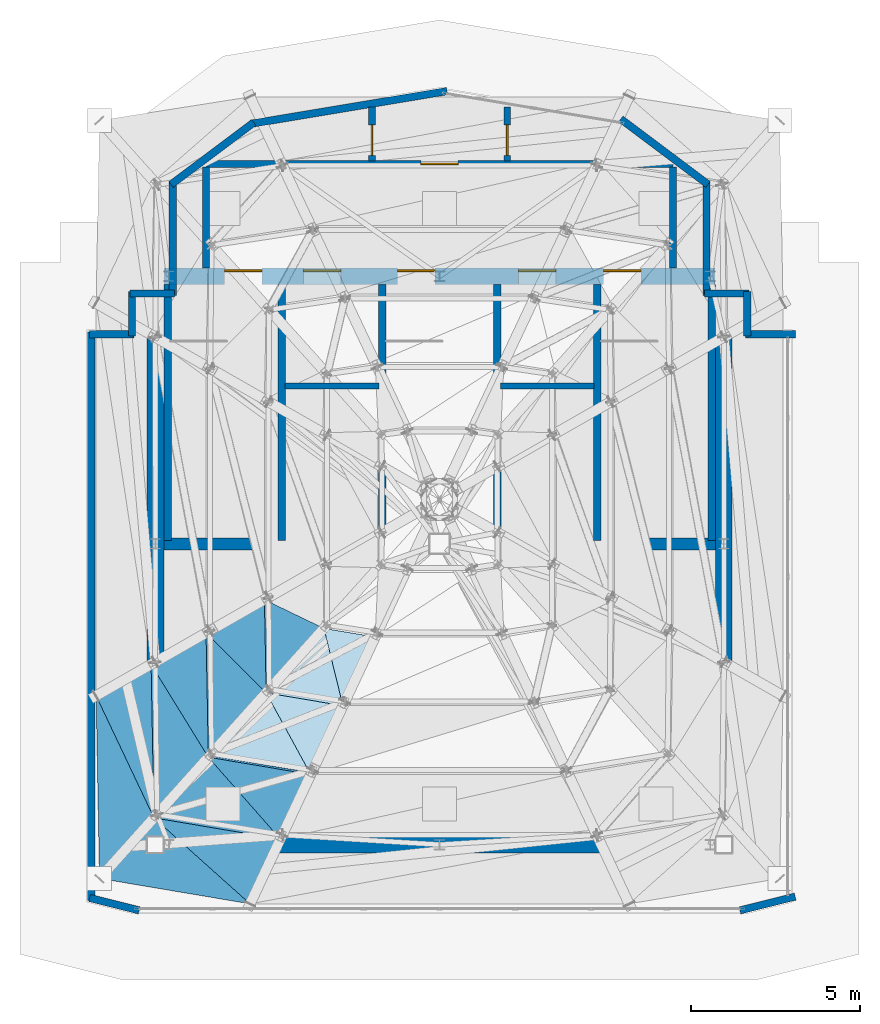
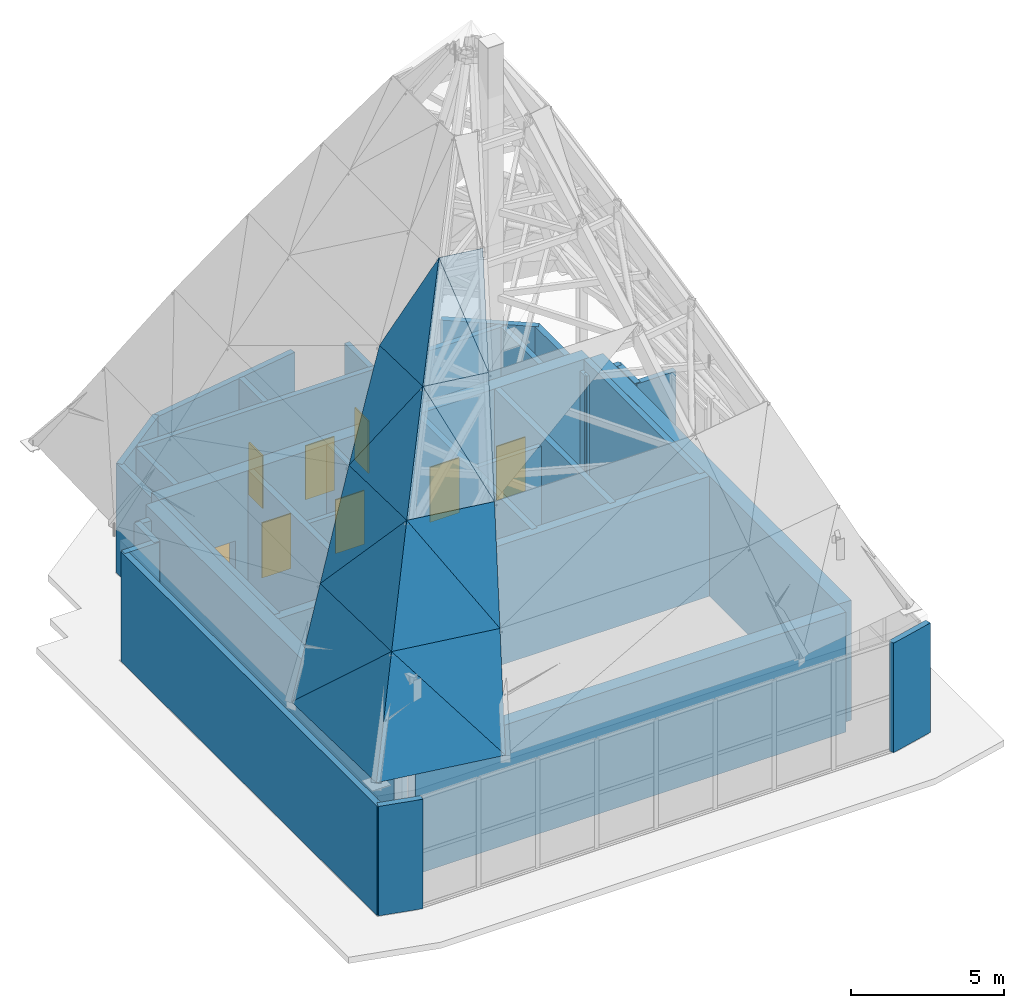
# One storey, part 26 of 30: 32 walls, 15 roofs, 8 doors, 8 openings.
"""IFC4 building model written with IfcOpenShell, lengths in metres."""

from ifc_helpers import new_model, si_unit, direction, frame, frame_2d, origin, place, context, subcontext, project, spatial, polyline, rectangle, outline, extrude, material, layer, layer_set, type_object, element, fill, save


model = new_model("IFC4")

# Units and contexts
model_context = context("Model", 3, precision=1e-05, world=origin(), true_north=direction((0.0, 1.0)))
body_context = subcontext(model_context, "Body", "Model", "MODEL_VIEW")
ifc_project = project(units=[si_unit("LENGTHUNIT", "METRE"), si_unit("AREAUNIT", "SQUARE_METRE"), si_unit("VOLUMEUNIT", "CUBIC_METRE"), si_unit("PLANEANGLEUNIT", "RADIAN"), si_unit("MASSUNIT", "GRAM", prefix="KILO")], contexts=[model_context])

# Site, building, storey
site_placement = place(None, origin())
site = spatial("IfcSite", under=ifc_project, at=site_placement, CompositionType="ELEMENT")
building_placement = place(site_placement, origin())
building = spatial("IfcBuilding", under=site, at=building_placement, Name="Haolan Belvedere Tower", CompositionType="ELEMENT")
storey_placement = place(building_placement, frame((0.0, 0.0, 333.0)))
storey = spatial("IfcBuildingStorey", under=building, at=storey_placement, Name="L83", CompositionType="ELEMENT", Elevation=333.0)

# Wall
ifc_material_1 = material(Name="Concrete C50/60", Category="concrete")
ifc_layer_1 = layer(ifc_material_1, 0.5, Name="Concrete C50/60")
ifc_layer_set_1 = layer_set([ifc_layer_1], Name="Concrete C50/60")
wall_type_1 = type_object("IfcWallType", Name="WL-CORE-500", PredefinedType="SHEAR", material=ifc_layer_set_1)
wall_1_placement = place(storey_placement, frame((30.260009765625, 26.39990234375, 0.0), z_axis=(0.0, 0.0, 1.0), x_axis=(1.0, 0.0, 0.0)))
element("IfcWall", 1, at=wall_1_placement, inside=storey, type_object=wall_type_1, Name="L83 central core south shear wall", PredefinedType="SHEAR", context=body_context, shape_type="SweptSolid", body=[
    extrude(rectangle(XDim=16.280029296875, YDim=0.5, at=frame_2d((8.14013671875, 0.0))), origin(), (0.0, 0.0, 1.0), 4.800048828125),
])

# Wall, openings, doors
wall_2_placement = place(storey_placement, frame((30.260009765625, 43.199951171875, 0.0), z_axis=(0.0, 0.0, 1.0), x_axis=(1.0, 0.0, 0.0)))
wall_2 = element("IfcWall", 2, at=wall_2_placement, inside=storey, type_object=wall_type_1, Name="L83 central core north shear wall", PredefinedType="SHEAR", context=body_context, shape_type="SweptSolid", body=[
    extrude(rectangle(XDim=16.280029296875, YDim=0.5, at=frame_2d((8.14013671875, 0.0))), origin(), (0.0, 0.0, 1.0), 4.800048828125),
])
opening_1_placement = place(wall_2_placement, frame((1.7900390625, 0.0, 0.0)))
opening_1 = element("IfcOpeningElement", 3, at=opening_1_placement, cuts=wall_2, Name="Opening FD-03", PredefinedType="OPENING", context=body_context, shape_type="SweptSolid", body=[
    extrude(rectangle(XDim=1.10009765625, YDim=2.14990234375, at=frame_2d((0.550048828125, 1.074951171875))), frame((0.0, 0.260009765625, 0.0), z_axis=(0.0, -1.0, 0.0), x_axis=(1.0, 0.0, 0.0)), (0.0, 0.0, 1.0), 0.52001953125),
])
opening_2_placement = place(wall_2_placement, frame((6.89990234375, 0.0, 0.0)))
opening_2 = element("IfcOpeningElement", 4, at=opening_2_placement, cuts=wall_2, Name="Opening FD-03", PredefinedType="OPENING", context=body_context, shape_type="SweptSolid", body=[
    extrude(rectangle(XDim=1.10009765625, YDim=2.14990234375, at=frame_2d((0.550048828125, 1.074951171875))), frame((0.0, 0.260009765625, 0.0), z_axis=(0.0, -1.0, 0.0), x_axis=(1.0, 0.0, 0.0)), (0.0, 0.0, 1.0), 0.52001953125),
])
opening_3_placement = place(wall_2_placement, frame((12.989990234375, 0.0, 0.0)))
opening_3 = element("IfcOpeningElement", 5, at=opening_3_placement, cuts=wall_2, Name="Opening FD-03", PredefinedType="OPENING", context=body_context, shape_type="SweptSolid", body=[
    extrude(rectangle(XDim=1.10009765625, YDim=2.14990234375, at=frame_2d((0.550048828125, 1.074951171875))), frame((0.0, 0.260009765625, 0.0), z_axis=(0.0, -1.0, 0.0), x_axis=(1.0, 0.0, 0.0)), (0.0, 0.0, 1.0), 0.52001953125),
])
opening_4_placement = place(wall_2_placement, frame((4.1201171875, 0.0, 0.0)))
opening_4 = element("IfcOpeningElement", 6, at=opening_4_placement, cuts=wall_2, Name="Opening LD-01", PredefinedType="OPENING", context=body_context, shape_type="SweptSolid", body=[
    extrude(rectangle(XDim=1.10009765625, YDim=2.199951171875, at=frame_2d((0.550048828125, 1.10009765625))), frame((0.0, 0.260009765625, 0.0), z_axis=(0.0, -1.0, 0.0), x_axis=(1.0, 0.0, 0.0)), (0.0, 0.0, 1.0), 0.52001953125),
])
opening_5_placement = place(wall_2_placement, frame((10.47998046875, 0.0, 0.0)))
opening_5 = element("IfcOpeningElement", 7, at=opening_5_placement, cuts=wall_2, Name="Opening LD-01", PredefinedType="OPENING", context=body_context, shape_type="SweptSolid", body=[
    extrude(rectangle(XDim=1.10009765625, YDim=2.199951171875, at=frame_2d((0.550048828125, 1.10009765625))), frame((0.0, 0.260009765625, 0.0), z_axis=(0.0, -1.0, 0.0), x_axis=(1.0, 0.0, 0.0)), (0.0, 0.0, 1.0), 0.52001953125),
])
ifc_material_2 = material(Name="Galvanised fire-rated steel", Category="steel")
door_type_1 = type_object("IfcDoorType", Name="DR-FD90-1100", OperationType="NOTDEFINED", PredefinedType="DOOR", material=ifc_material_2)
door_1_placement = place(opening_1_placement, origin())
door_1 = element("IfcDoor", 8, at=door_1_placement, inside=storey, type_object=door_type_1, Name="L83 door CD-L83-ST1", OperationType="SINGLE_SWING_LEFT", OverallHeight=2.14990234375, OverallWidth=1.10009765625, PredefinedType="DOOR", context=body_context, shape_type="SweptSolid", body=[
    extrude(rectangle(XDim=1.10009765625, YDim=2.14990234375, at=frame_2d((0.550048828125, 1.074951171875))), frame((0.0, 0.18505859375, 0.0), z_axis=(0.0, -1.0, 0.0), x_axis=(1.0, 0.0, 0.0)), (0.0, 0.0, 1.0), 0.050048828125),
])
fill(opening_1, door_1)
door_2_placement = place(opening_2_placement, origin())
door_2 = element("IfcDoor", 9, at=door_2_placement, inside=storey, type_object=door_type_1, Name="L83 door CD-L83-ST3", OperationType="SINGLE_SWING_LEFT", OverallHeight=2.14990234375, OverallWidth=1.10009765625, PredefinedType="DOOR", context=body_context, shape_type="SweptSolid", body=[
    extrude(rectangle(XDim=1.10009765625, YDim=2.14990234375, at=frame_2d((0.550048828125, 1.074951171875))), frame((0.0, 0.18505859375, 0.0), z_axis=(0.0, -1.0, 0.0), x_axis=(1.0, 0.0, 0.0)), (0.0, 0.0, 1.0), 0.050048828125),
])
fill(opening_2, door_2)
door_3_placement = place(opening_3_placement, origin())
door_3 = element("IfcDoor", 10, at=door_3_placement, inside=storey, type_object=door_type_1, Name="L83 door CD-L83-ST2", OperationType="SINGLE_SWING_RIGHT", OverallHeight=2.14990234375, OverallWidth=1.10009765625, PredefinedType="DOOR", context=body_context, shape_type="SweptSolid", body=[
    extrude(rectangle(XDim=1.10009765625, YDim=2.14990234375, at=frame_2d((0.550048828125, 1.074951171875))), frame((0.0, 0.18505859375, 0.0), z_axis=(0.0, -1.0, 0.0), x_axis=(1.0, 0.0, 0.0)), (0.0, 0.0, 1.0), 0.050048828125),
])
fill(opening_3, door_3)
ifc_material_3 = material(Name="Brushed champagne stainless steel 316L", Category="steel")
door_type_2 = type_object("IfcDoorType", Name="DR-LIFT-1100", OperationType="SLIDING_TO_LEFT", PredefinedType="DOOR", material=ifc_material_3)
door_4_placement = place(opening_4_placement, origin())
door_4 = element("IfcDoor", 11, at=door_4_placement, inside=storey, type_object=door_type_2, Name="L83 door LD-L83-FF1", OperationType="SLIDING_TO_LEFT", OverallHeight=2.199951171875, OverallWidth=1.10009765625, PredefinedType="DOOR", context=body_context, shape_type="SweptSolid", body=[
    extrude(rectangle(XDim=1.10009765625, YDim=2.199951171875, at=frame_2d((0.550048828125, 1.10009765625))), frame((0.0, 0.18505859375, 0.0), z_axis=(0.0, -1.0, 0.0), x_axis=(1.0, 0.0, 0.0)), (0.0, 0.0, 1.0), 0.050048828125),
])
fill(opening_4, door_4)
door_5_placement = place(opening_5_placement, origin())
door_5 = element("IfcDoor", 12, at=door_5_placement, inside=storey, type_object=door_type_2, Name="L83 door LD-L83-FF2", OperationType="SLIDING_TO_LEFT", OverallHeight=2.199951171875, OverallWidth=1.10009765625, PredefinedType="DOOR", context=body_context, shape_type="SweptSolid", body=[
    extrude(rectangle(XDim=1.10009765625, YDim=2.199951171875, at=frame_2d((0.550048828125, 1.10009765625))), frame((0.0, 0.18505859375, 0.0), z_axis=(0.0, -1.0, 0.0), x_axis=(1.0, 0.0, 0.0)), (0.0, 0.0, 1.0), 0.050048828125),
])
fill(opening_5, door_5)

# Walls
for number, where, z_axis, x_axis, name in (
    (13, (30.0, 26.659912109375, 0.0), (0.0, 0.0, 1.0), (0.0, 1.0, 0.0), "L83 central core west shear wall"),
    (14, (46.800048828125, 26.659912109375, 0.0), (0.0, 0.0, 1.0), (0.0, 1.0, 0.0), "L83 central core east shear wall"),
):
    element("IfcWall", number, at=place(storey_placement, frame(where, z_axis=z_axis, x_axis=x_axis)), inside=storey, type_object=wall_type_1, Name=name, PredefinedType="SHEAR", context=body_context, shape_type="SweptSolid", body=[
        extrude(rectangle(XDim=16.280029296875, YDim=0.5, at=frame_2d((8.14013671875, 0.0))), origin(), (0.0, 0.0, 1.0), 4.800048828125),
    ])
ifc_material_4 = material(Name="Precast concrete C40/50", Category="concrete")
ifc_layer_2 = layer(ifc_material_4, 0.219970703125, Name="Precast concrete C40/50")
ifc_layer_set_2 = layer_set([ifc_layer_2], Name="Precast concrete C40/50")
wall_type_2 = type_object("IfcWallType", Name="WL-EXT-220", PredefinedType="SOLIDWALL", material=ifc_layer_set_2)
wall_3_placement = place(storey_placement, frame((28.056640625, 24.822265625, 0.0), z_axis=(0.0, 0.0, 1.0), x_axis=(0.970133005699, -0.242573599662, 0.0)))
element("IfcWall", 15, at=wall_3_placement, inside=storey, type_object=wall_type_2, Name="L83 pale-metal exterior spandrel wall 1.1", PredefinedType="SOLIDWALL", context=body_context, shape_type="SweptSolid", body=[
    extrude(rectangle(XDim=1.5126953125, YDim=0.219970703125, at=frame_2d((0.75634765625, 0.0))), origin(), (0.0, 0.0, 1.0), 4.3798828125),
])
wall_4_placement = place(storey_placement, frame((47.27587890625, 24.455322265625, 0.0), z_axis=(0.0, 0.0, 1.0), x_axis=(0.970125427386, 0.242603905861, 0.0)))
element("IfcWall", 16, at=wall_4_placement, inside=storey, type_object=wall_type_2, Name="L83 pale-metal exterior spandrel wall 3.1", PredefinedType="SOLIDWALL", context=body_context, shape_type="SweptSolid", body=[
    extrude(rectangle(XDim=1.6826171875, YDim=0.219970703125, at=frame_2d((0.84130859375, 0.0))), origin(), (0.0, 0.0, 1.0), 4.3798828125),
])
wall_5_placement = place(storey_placement, frame((48.9150390625, 41.489990234375, 0.0), z_axis=(0.0, 0.0, 1.0), x_axis=(-1.0, 0.0, 0.0)))
element("IfcWall", 17, at=wall_5_placement, inside=storey, type_object=wall_type_2, Name="L83 pale-metal exterior spandrel wall 5.1", PredefinedType="SOLIDWALL", context=body_context, shape_type="SweptSolid", body=[
    extrude(rectangle(XDim=1.47998046875, YDim=0.219970703125, at=frame_2d((0.739990234375, 0.0))), origin(), (0.0, 0.0, 1.0), 4.3798828125),
])
wall_6_placement = place(storey_placement, frame((47.489990234375, 41.43505859375, 0.0), z_axis=(0.0, 0.0, 1.0), x_axis=(0.0, 1.0, 0.0)))
element("IfcWall", 18, at=wall_6_placement, inside=storey, type_object=wall_type_2, Name="L83 pale-metal exterior spandrel wall 6.1", PredefinedType="SOLIDWALL", context=body_context, shape_type="SweptSolid", body=[
    extrude(rectangle(XDim=1.31005859375, YDim=0.219970703125, at=frame_2d((0.655029296875, 0.0))), origin(), (0.0, 0.0, 1.0), 4.3798828125),
])
wall_7_placement = place(storey_placement, frame((47.544921875, 42.68994140625, 0.0), z_axis=(0.0, 0.0, 1.0), x_axis=(-1.0, 0.0, 0.0)))
element("IfcWall", 19, at=wall_7_placement, inside=storey, type_object=wall_type_2, Name="L83 pale-metal exterior spandrel wall 7.1", PredefinedType="SOLIDWALL", context=body_context, shape_type="SweptSolid", body=[
    extrude(rectangle(XDim=1.309814453125, YDim=0.219970703125, at=frame_2d((0.65478515625, 0.0))), origin(), (0.0, 0.0, 1.0), 4.3798828125),
])
wall_8_placement = place(storey_placement, frame((46.2900390625, 42.635009765625, 0.0), z_axis=(0.0, 0.0, 1.0), x_axis=(0.0, 1.0, 0.0)))
element("IfcWall", 20, at=wall_8_placement, inside=storey, type_object=wall_type_2, Name="L83 pale-metal exterior spandrel wall 8.1", PredefinedType="SOLIDWALL", context=body_context, shape_type="SweptSolid", body=[
    extrude(rectangle(XDim=3.364990234375, YDim=0.219970703125, at=frame_2d((1.6826171875, 0.0))), origin(), (0.0, 0.0, 1.0), 4.3798828125),
])
wall_9_placement = place(storey_placement, frame((46.333984375, 45.912109375, 0.0), z_axis=(0.0, 0.0, 1.0), x_axis=(-0.8, 0.6, 0.0)))
element("IfcWall", 21, at=wall_9_placement, inside=storey, type_object=wall_type_2, Name="L83 pale-metal exterior spandrel wall 9.1", PredefinedType="SOLIDWALL", context=body_context, shape_type="SweptSolid", body=[
    extrude(rectangle(XDim=3.22265625, YDim=0.219970703125, at=frame_2d((1.611328125, 0.0))), origin(), (0.0, 0.0, 1.0), 4.3798828125),
])
wall_10_placement = place(storey_placement, frame((38.621826171875, 48.67041015625, 0.0), z_axis=(0.0, 0.0, 1.0), x_axis=(-0.986391684033, -0.164412425533, 0.0)))
element("IfcWall", 22, at=wall_10_placement, inside=storey, type_object=wall_type_2, Name="L83 pale-metal exterior spandrel wall 11.1", PredefinedType="SOLIDWALL", context=body_context, shape_type="SweptSolid", body=[
    extrude(rectangle(XDim=5.89208984375, YDim=0.219970703125, at=frame_2d((2.946044921875, 0.0))), origin(), (0.0, 0.0, 1.0), 4.3798828125),
])
wall_11_placement = place(storey_placement, frame((32.908203125, 47.74365234375, 0.0), z_axis=(0.0, 0.0, 1.0), x_axis=(-0.800009597134, -0.599987203609, 0.0)))
element("IfcWall", 23, at=wall_11_placement, inside=storey, type_object=wall_type_2, Name="L83 pale-metal exterior spandrel wall 12.1", PredefinedType="SOLIDWALL", context=body_context, shape_type="SweptSolid", body=[
    extrude(rectangle(XDim=3.052734375, YDim=0.219970703125, at=frame_2d((1.5263671875, 0.0))), origin(), (0.0, 0.0, 1.0), 4.3798828125),
])
wall_12_placement = place(storey_placement, frame((30.510009765625, 46.0, 0.0), z_axis=(0.0, 0.0, 1.0), x_axis=(0.0, -1.0, 0.0)))
element("IfcWall", 24, at=wall_12_placement, inside=storey, type_object=wall_type_2, Name="L83 pale-metal exterior spandrel wall 13.1", PredefinedType="SOLIDWALL", context=body_context, shape_type="SweptSolid", body=[
    extrude(rectangle(XDim=3.364990234375, YDim=0.219970703125, at=frame_2d((1.6826171875, 0.0))), origin(), (0.0, 0.0, 1.0), 4.3798828125),
])
for number, where, z_axis, x_axis, name in (
    (25, (30.56494140625, 42.68994140625, 0.0), (0.0, 0.0, 1.0), (-1.0, 0.0, 0.0), "L83 pale-metal exterior spandrel wall 14.1"),
    (26, (29.31005859375, 42.7451171875, 0.0), (0.0, 0.0, 1.0), (0.0, -1.0, 0.0), "L83 pale-metal exterior spandrel wall 15.1"),
    (27, (29.364990234375, 41.489990234375, 0.0), (0.0, 0.0, 1.0), (-1.0, 0.0, 0.0), "L83 pale-metal exterior spandrel wall 16.1"),
):
    element("IfcWall", number, at=place(storey_placement, frame(where, z_axis=z_axis, x_axis=x_axis)), inside=storey, type_object=wall_type_2, Name=name, PredefinedType="SOLIDWALL", context=body_context, shape_type="SweptSolid", body=[
        extrude(rectangle(XDim=1.31005859375, YDim=0.219970703125, at=frame_2d((0.655029296875, 0.0))), origin(), (0.0, 0.0, 1.0), 4.3798828125),
    ])
wall_13_placement = place(storey_placement, frame((28.110107421875, 41.544921875, 0.0), z_axis=(0.0, 0.0, 1.0), x_axis=(0.0, -1.0, 0.0)))
element("IfcWall", 28, at=wall_13_placement, inside=storey, type_object=wall_type_2, Name="L83 pale-metal exterior spandrel wall 17.1", PredefinedType="SOLIDWALL", context=body_context, shape_type="SweptSolid", body=[
    extrude(rectangle(XDim=16.791015625, YDim=0.219970703125, at=frame_2d((8.3955078125, 0.0))), origin(), (0.0, 0.0, 1.0), 4.3798828125),
])

# Wall, opening, door
ifc_material_5 = material(Name="Concrete C40/50", Category="concrete")
ifc_layer_3 = layer(ifc_material_5, 0.199951171875, Name="Concrete C40/50")
ifc_layer_set_3 = layer_set([ifc_layer_3], Name="Concrete C40/50")
wall_type_3 = type_object("IfcWallType", Name="WL-FIRE-200", PredefinedType="SOLIDWALL", material=ifc_layer_set_3)
wall_14_placement = place(storey_placement, frame((31.5, 46.52001953125, 0.0), z_axis=(0.0, 0.0, 1.0), x_axis=(1.0, 0.0, 0.0)))
wall_14 = element("IfcWall", 29, at=wall_14_placement, inside=storey, type_object=wall_type_3, Name="L83 interior partition IW-L83-FFL-N", PredefinedType="SOLIDWALL", context=body_context, shape_type="SweptSolid", body=[
    extrude(rectangle(XDim=13.800048828125, YDim=0.199951171875, at=frame_2d((6.89990234375, 0.0))), origin(), (0.0, 0.0, 1.0), 4.3798828125),
])
opening_6_placement = place(wall_14_placement, frame((6.35009765625, 0.0, 0.0)))
opening_6 = element("IfcOpeningElement", 30, at=opening_6_placement, cuts=wall_14, Name="Opening FD-03", PredefinedType="OPENING", context=body_context, shape_type="SweptSolid", body=[
    extrude(rectangle(XDim=1.10009765625, YDim=2.14990234375, at=frame_2d((0.550048828125, 1.074951171875))), frame((0.0, 0.10986328125, 0.0), z_axis=(0.0, -1.0, 0.0), x_axis=(1.0, 0.0, 0.0)), (0.0, 0.0, 1.0), 0.219970703125),
])
door_6_placement = place(opening_6_placement, origin())
door_6 = element("IfcDoor", 31, at=door_6_placement, inside=storey, type_object=door_type_1, Name="L83 door ID-L83-FFL-DN", OperationType="SINGLE_SWING_LEFT", OverallHeight=2.14990234375, OverallWidth=1.10009765625, PredefinedType="DOOR", context=body_context, shape_type="SweptSolid", body=[
    extrude(rectangle(XDim=1.10009765625, YDim=2.14990234375, at=frame_2d((0.550048828125, 1.074951171875))), frame((0.0, 0.02490234375, 0.0), z_axis=(0.0, -1.0, 0.0), x_axis=(1.0, 0.0, 0.0)), (0.0, 0.0, 1.0), 0.050048828125),
])
fill(opening_6, door_6)

# Walls
for number, where, z_axis, x_axis, name in (
    (32, (31.5, 43.449951171875, 0.0), (0.0, 0.0, 1.0), (0.0, 1.0, 0.0), "L83 interior partition IW-L83-FFL-W"),
    (33, (45.300048828125, 43.449951171875, 0.0), (0.0, 0.0, 1.0), (0.0, 1.0, 0.0), "L83 interior partition IW-L83-FFL-E"),
):
    element("IfcWall", number, at=place(storey_placement, frame(where, z_axis=z_axis, x_axis=x_axis)), inside=storey, type_object=wall_type_3, Name=name, PredefinedType="SOLIDWALL", context=body_context, shape_type="SweptSolid", body=[
        extrude(rectangle(XDim=2.985107421875, YDim=0.199951171875, at=frame_2d((1.49267578125, 0.0))), origin(), (0.0, 0.0, 1.0), 4.3798828125),
    ])

# Wall, opening, door
wall_15_placement = place(storey_placement, frame((36.39990234375, 46.60498046875, 0.0), z_axis=(0.0, 0.0, 1.0), x_axis=(0.0, 1.0, 0.0)))
wall_15 = element("IfcWall", 34, at=wall_15_placement, inside=storey, type_object=wall_type_3, Name="L83 interior partition IW-L83-CRN-CHIL-E", PredefinedType="SOLIDWALL", context=body_context, shape_type="SweptSolid", body=[
    extrude(rectangle(XDim=1.591552734375, YDim=0.199951171875, at=frame_2d((0.7958984375, 0.0))), origin(), (0.0, 0.0, 1.0), 4.3798828125),
])
opening_7_placement = place(wall_15_placement, frame((1.06494140625, 0.0, 0.0), z_axis=(0.0, 0.0, 1.0), x_axis=(-1.0, 0.0, 0.0)))
opening_7 = element("IfcOpeningElement", 35, at=opening_7_placement, cuts=wall_15, Name="Opening FD-05", PredefinedType="OPENING", context=body_context, shape_type="SweptSolid", body=[
    extrude(rectangle(XDim=0.89990234375, YDim=2.10009765625, at=frame_2d((0.449951171875, 1.050048828125))), frame((0.0, 0.10986328125, 0.0), z_axis=(0.0, -1.0, 0.0), x_axis=(1.0, 0.0, 0.0)), (0.0, 0.0, 1.0), 0.219970703125),
])
door_type_3 = type_object("IfcDoorType", Name="DR-FD60-900", OperationType="NOTDEFINED", PredefinedType="DOOR", material=ifc_material_2)
door_7_placement = place(opening_7_placement, origin())
door_7 = element("IfcDoor", 36, at=door_7_placement, inside=storey, type_object=door_type_3, Name="L83 door ID-L83-CRN-CHIL", OperationType="SINGLE_SWING_LEFT", OverallHeight=2.10009765625, OverallWidth=0.89990234375, PredefinedType="DOOR", context=body_context, shape_type="SweptSolid", body=[
    extrude(rectangle(XDim=0.89990234375, YDim=2.10009765625, at=frame_2d((0.449951171875, 1.050048828125))), frame((0.0, 0.02490234375, 0.0), z_axis=(0.0, -1.0, 0.0), x_axis=(1.0, 0.0, 0.0)), (0.0, 0.0, 1.0), 0.050048828125),
])
fill(opening_7, door_7)

wall_16_placement = place(storey_placement, frame((40.39990234375, 46.60498046875, 0.0), z_axis=(0.0, 0.0, 1.0), x_axis=(0.0, 1.0, 0.0)))
wall_16 = element("IfcWall", 37, at=wall_16_placement, inside=storey, type_object=wall_type_3, Name="L83 interior partition IW-L83-CRN-AHU-W", PredefinedType="SOLIDWALL", context=body_context, shape_type="SweptSolid", body=[
    extrude(rectangle(XDim=1.591552734375, YDim=0.199951171875, at=frame_2d((0.7958984375, 0.0))), origin(), (0.0, 0.0, 1.0), 4.3798828125),
])
opening_8_placement = place(wall_16_placement, frame((0.1650390625, 0.0, 0.0)))
opening_8 = element("IfcOpeningElement", 38, at=opening_8_placement, cuts=wall_16, Name="Opening FD-05", PredefinedType="OPENING", context=body_context, shape_type="SweptSolid", body=[
    extrude(rectangle(XDim=0.89990234375, YDim=2.10009765625, at=frame_2d((0.449951171875, 1.050048828125))), frame((0.0, 0.10986328125, 0.0), z_axis=(0.0, -1.0, 0.0), x_axis=(1.0, 0.0, 0.0)), (0.0, 0.0, 1.0), 0.219970703125),
])
door_8_placement = place(opening_8_placement, origin())
door_8 = element("IfcDoor", 39, at=door_8_placement, inside=storey, type_object=door_type_3, Name="L83 door ID-L83-CRN-AHU", OperationType="SINGLE_SWING_LEFT", OverallHeight=2.10009765625, OverallWidth=0.89990234375, PredefinedType="DOOR", context=body_context, shape_type="SweptSolid", body=[
    extrude(rectangle(XDim=0.89990234375, YDim=2.10009765625, at=frame_2d((0.449951171875, 1.050048828125))), frame((0.0, 0.02490234375, 0.0), z_axis=(0.0, -1.0, 0.0), x_axis=(1.0, 0.0, 0.0)), (0.0, 0.0, 1.0), 0.050048828125),
])
fill(opening_8, door_8)

# Walls
ifc_layer_4 = layer(ifc_material_4, 0.179931640625, Name="Precast concrete C40/50")
ifc_layer_set_4 = layer_set([ifc_layer_4], Name="Precast concrete C40/50")
wall_type_4 = type_object("IfcWallType", Name="WL-SHAFT-180", PredefinedType="SOLIDWALL", material=ifc_layer_set_4)
for number, where, z_axis, x_axis, name in (
    (40, (33.8349609375, 39.949951171875, 0.0), (0.0, 0.0, 1.0), (1.0, 0.0, 0.0), "L83 interior partition IW-L83-FF1-S"),
    (41, (40.195068359375, 39.949951171875, 0.0), (0.0, 0.0, 1.0), (1.0, 0.0, 0.0), "L83 interior partition IW-L83-FF2-S"),
):
    element("IfcWall", number, at=place(storey_placement, frame(where, z_axis=z_axis, x_axis=x_axis)), inside=storey, type_object=wall_type_4, Name=name, PredefinedType="SOLIDWALL", context=body_context, shape_type="SweptSolid", body=[
        extrude(rectangle(XDim=2.77001953125, YDim=0.179931640625, at=frame_2d((1.385009765625, 0.0))), origin(), (0.0, 0.0, 1.0), 4.3798828125),
    ])
ifc_layer_5 = layer(ifc_material_1, 0.219970703125, Name="Concrete C50/60")
ifc_layer_set_5 = layer_set([ifc_layer_5], Name="Concrete C50/60")
wall_type_5 = type_object("IfcWallType", Name="WL-STAIR-220", PredefinedType="SHEAR", material=ifc_layer_set_5)
for number, where, z_axis, x_axis, name in (
    (42, (30.362060546875, 35.389892578125, 0.0), (0.0, 0.0, 1.0), (0.0, 1.0, 0.0), "L83 structural stair core wall ST1W"),
    (43, (33.739990234375, 35.389892578125, 0.0), (0.0, 0.0, 1.0), (0.0, 1.0, 0.0), "L83 structural stair core wall ST1E"),
    (44, (36.699951171875, 35.389892578125, 0.0), (0.0, 0.0, 1.0), (0.0, 1.0, 0.0), "L83 structural stair core wall ST3W"),
    (45, (40.10009765625, 35.389892578125, 0.0), (0.0, 0.0, 1.0), (0.0, 1.0, 0.0), "L83 structural stair core wall ST3E"),
    (46, (43.06005859375, 35.389892578125, 0.0), (0.0, 0.0, 1.0), (0.0, 1.0, 0.0), "L83 structural stair core wall ST2W"),
    (47, (46.43798828125, 35.389892578125, 0.0), (0.0, 0.0, 1.0), (0.0, 1.0, 0.0), "L83 structural stair core wall ST2E"),
):
    element("IfcWall", number, at=place(storey_placement, frame(where, z_axis=z_axis, x_axis=x_axis)), inside=storey, type_object=wall_type_5, Name=name, PredefinedType="SHEAR", context=body_context, shape_type="SweptSolid", body=[
        extrude(rectangle(XDim=7.56005859375, YDim=0.219970703125, at=frame_2d((3.780029296875, 0.0))), origin(), (0.0, 0.0, 1.0), 4.800048828125),
    ])
ifc_material_6 = material(Name="Concrete C60/75", Category="concrete")
ifc_layer_6 = layer(ifc_material_6, 0.360107421875, Name="Concrete C60/75")
ifc_layer_set_6 = layer_set([ifc_layer_6], Name="Concrete C60/75")
wall_type_6 = type_object("IfcWallType", Name="WL-WEB-350", PredefinedType="SHEAR", material=ifc_layer_set_6)
wall_17_placement = place(storey_placement, frame((30.25, 35.2900390625, 0.0), z_axis=(0.0, 0.0, 1.0), x_axis=(1.0, 0.0, 0.0)))
element("IfcWall", 48, at=wall_17_placement, inside=storey, type_object=wall_type_6, Name="L83 central core internal shear web", PredefinedType="SHEAR", context=body_context, shape_type="SweptSolid", body=[
    extrude(rectangle(XDim=16.300048828125, YDim=0.360107421875, at=frame_2d((8.14990234375, 0.0))), origin(), (0.0, 0.0, 1.0), 4.800048828125),
])

# Roofs
ifc_material_7 = material(Name="Double Low-E fritted laminated crown glazing", Category="glass")
ifc_layer_7 = layer(ifc_material_7, 0.06005859375, Name="Double Low-E fritted laminated crown glazing")
ifc_layer_set_7 = layer_set([ifc_layer_7], Name="Double Low-E fritted laminated crown glazing")
roof_type_1 = type_object("IfcRoofType", Name="ROOF-CRN-GLZ", PredefinedType="GABLE_ROOF", material=ifc_layer_set_7)
roof_1_placement = place(storey_placement, frame((28.35009765625, 25.39990234375, 4.800048828125), z_axis=(-0.144691980462, -0.858496330688, 0.491984025132), x_axis=(0.986092537414, -0.166197195092, 0.0)))
element("IfcRoof", 49, at=roof_1_placement, inside=storey, type_object=roof_type_1, Name="Crown glass-point glazed facet T1-01.1", PredefinedType="GABLE_ROOF", context=body_context, shape_type="SweptSolid", body=[
    extrude(outline(polyline([(0.0, 0.0), (4.512711538761556, 0.0), (1.2877241307216765, 4.134890925737667), (0.0, 0.0)])), origin(), (0.0, 0.0, -1.0), 0.06005859375),
])
roof_2_placement = place(storey_placement, frame((28.25, 30.800048828125, 4.800048828125), z_axis=(-0.909769531559, -0.016843956881, 0.414771841576), x_axis=(0.317744763739, -0.671233542496, 0.669689328379)))
element("IfcRoof", 50, at=roof_2_placement, inside=storey, type_object=roof_type_1, Name="Crown glass-point glazed facet T1-12.2", PredefinedType="GABLE_ROOF", context=body_context, shape_type="SweptSolid", body=[
    extrude(outline(polyline([(0.0, 0.0), (5.375408212552442, 4.440892098500626e-16), (2.303918120192426, 3.33908713279806), (0.0, 0.0)])), origin(), (0.0, 0.0, -1.0), 0.06005859375),
])
roof_3_placement = place(storey_placement, frame((33.696044921875, 26.56201171875, 8.39990234375), z_axis=(-0.14462103761, -0.858514253436, 0.491973609178), x_axis=(0.214677287762, 0.458134201023, 0.862569832519)))
element("IfcRoof", 51, at=roof_3_placement, inside=storey, type_object=roof_type_1, Name="Crown glass-point glazed facet T2-01.2", PredefinedType="GABLE_ROOF", context=body_context, shape_type="SweptSolid", body=[
    extrude(outline(polyline([(0.0, 0.0), (4.17368834444007, 0.0), (3.757589523620089, 3.040418303222749), (0.0, 0.0)])), origin(), (0.0, 0.0, -1.0), 0.06005859375),
])
roof_4_placement = place(storey_placement, frame((29.8740234375, 31.72802734375, 8.39990234375), z_axis=(-0.909791251365, -0.016844359013, 0.414724181246), x_axis=(0.018511359292, -0.999828650108, 0.0)))
element("IfcRoof", 52, at=roof_4_placement, inside=storey, type_object=roof_type_1, Name="Crown glass-point glazed facet T2-12.1", PredefinedType="GABLE_ROOF", context=body_context, shape_type="SweptSolid", body=[
    extrude(outline(polyline([(0.0, 0.0), (4.536910211573875, 0.0), (2.7749896843522106, 3.956380954979514), (0.0, 0.0)])), origin(), (0.0, 0.0, -1.0), 0.06005859375),
])
roof_5_placement = place(storey_placement, frame((31.56591796875, 28.98388671875, 12.0), z_axis=(-0.142418580877, -0.845439803626, 0.514731470056), x_axis=(0.986106457041, -0.166114585099, 0.0)))
element("IfcRoof", 53, at=roof_5_placement, inside=storey, type_object=roof_type_1, Name="Crown glass-point glazed facet T3-01.1", PredefinedType="GABLE_ROOF", context=body_context, shape_type="SweptSolid", body=[
    extrude(outline(polyline([(0.0, 0.0), (3.0687589816177603, 0.0), (1.3684680998985788, 4.199092034206519), (0.0, 0.0)])), origin(), (0.0, 0.0, -1.0), 0.06005859375),
])
roof_6_placement = place(storey_placement, frame((31.498046875, 32.656005859375, 12.0), z_axis=(-0.899874539739, -0.016671729351, 0.435830088647), x_axis=(0.40495326278, -0.403060957814, 0.820703795074)))
element("IfcRoof", 54, at=roof_6_placement, inside=storey, type_object=roof_type_1, Name="Crown glass-point glazed facet T3-12.2", PredefinedType="GABLE_ROOF", context=body_context, shape_type="SweptSolid", body=[
    extrude(outline(polyline([(0.0, 0.0), (4.386598036778979, 0.0), (3.2558446439510877, 2.5118409044516508), (0.0, 0.0)])), origin(), (0.0, 0.0, -1.0), 0.06005859375),
])
roof_7_placement = place(storey_placement, frame((35.5439453125, 30.505615234375, 15.60009765625), z_axis=(-0.140173562386, -0.83217982727, 0.536496139309), x_axis=(0.233745698986, 0.498717425965, 0.834651949764)))
element("IfcRoof", 55, at=roof_7_placement, inside=storey, type_object=roof_type_1, Name="Crown glass-point glazed facet T4-01.2", PredefinedType="GABLE_ROOF", context=body_context, shape_type="SweptSolid", body=[
    extrude(outline(polyline([(0.0, 0.0), (4.073437250954548, 5.551115123125783e-17), (3.8468515943119566, 1.5176787462127552), (0.0, 0.0)])), origin(), (0.0, 0.0, -1.0), 0.06005859375),
])
roof_8_placement = place(storey_placement, frame((33.223388671875, 33.64208984375, 15.60009765625), z_axis=(-0.889671899285, -0.016482707823, 0.456302785402), x_axis=(0.018523547619, -0.999828424373, 0.0)))
element("IfcRoof", 56, at=roof_8_placement, inside=storey, type_object=roof_type_1, Name="Crown glass-point glazed facet T4-12.1", PredefinedType="GABLE_ROOF", context=body_context, shape_type="SweptSolid", body=[
    extrude(outline(polyline([(0.0, 0.0), (2.754623016797085, 0.0), (0.8825443802144525, 3.820868126895716), (0.0, 0.0)])), origin(), (0.0, 0.0, -1.0), 0.06005859375),
])
ifc_material_8 = material(Name="Anodised pale-metal aluminium and laminated Low-E crown glass", Category="aluminium")
ifc_layer_8 = layer(ifc_material_8, 0.080078125, Name="Anodised pale-metal aluminium and laminated Low-E crown glass")
ifc_layer_set_8 = layer_set([ifc_layer_8], Name="Anodised pale-metal aluminium and laminated Low-E crown glass")
roof_type_2 = type_object("IfcRoofType", Name="ROOF-CRN-HIP", PredefinedType="HIP_ROOF", material=ifc_layer_set_8)
roof_9_placement = place(storey_placement, frame((32.800048828125, 24.64990234375, 4.800048828125), z_axis=(-0.144660986898, -0.858490066048, 0.492004070478), x_axis=(0.214688120009, 0.458157317687, 0.862554858184)))
element("IfcRoof", 57, at=roof_9_placement, inside=storey, type_object=roof_type_2, Name="Crown glass-point sloped hip facet T1-01.2", PredefinedType="HIP_ROOF", context=body_context, shape_type="SweptSolid", body=[
    extrude(outline(polyline([(0.0, 0.0), (4.173477757929929, -5.551115123125783e-17), (3.659551018225968, 3.755736025703188), (0.0, 0.0)])), origin(), (0.0, 0.0, -1.0), 0.080078125),
])
roof_10_placement = place(storey_placement, frame((28.25, 30.800048828125, 4.800048828125), z_axis=(-0.909776652082, -0.016863711169, 0.414755420183), x_axis=(0.018532916624, -0.999828250752, 0.0)))
element("IfcRoof", 58, at=roof_10_placement, inside=storey, type_object=roof_type_2, Name="Crown glass-point sloped hip facet T1-12.1", PredefinedType="HIP_ROOF", context=body_context, shape_type="SweptSolid", body=[
    extrude(outline(polyline([(0.0, 0.0), (5.401074114793688, 0.0), (3.639188965469479, 3.956174556965531), (0.0, 0.0)])), origin(), (0.0, 0.0, -1.0), 0.080078125),
])
roof_11_placement = place(storey_placement, frame((29.9580078125, 27.19189453125, 8.39990234375), z_axis=(-0.144665995314, -0.858519788468, 0.491950731893), x_axis=(0.986098172508, -0.166163757107, 0.0)))
element("IfcRoof", 59, at=roof_11_placement, inside=storey, type_object=roof_type_2, Name="Crown glass-point sloped hip facet T2-01.1", PredefinedType="HIP_ROOF", context=body_context, shape_type="SweptSolid", body=[
    extrude(outline(polyline([(0.0, 0.0), (3.7907352569847865, 0.0), (1.2877931120533852, 4.135081995041639), (0.0, 0.0)])), origin(), (0.0, 0.0, -1.0), 0.080078125),
])
roof_12_placement = place(storey_placement, frame((29.8740234375, 31.72802734375, 8.39990234375), z_axis=(-0.909783393779, -0.016815356922, 0.414742595082), x_axis=(0.350104046479, -0.56784552416, 0.744968870041)))
element("IfcRoof", 60, at=roof_12_placement, inside=storey, type_object=roof_type_2, Name="Crown glass-point sloped hip facet T2-12.2", PredefinedType="HIP_ROOF", context=body_context, shape_type="SweptSolid", body=[
    extrude(outline(polyline([(0.0, 0.0), (4.832547776192781, 2.220446049250313e-16), (2.7235894134460814, 3.0068854471881816), (0.0, 0.0)])), origin(), (0.0, 0.0, -1.0), 0.080078125),
])
roof_13_placement = place(storey_placement, frame((34.592041015625, 28.47412109375, 12.0), z_axis=(-0.142422436057, -0.845439952481, 0.514730158876), x_axis=(0.224404686601, 0.478910335268, 0.848697488747)))
element("IfcRoof", 61, at=roof_13_placement, inside=storey, type_object=roof_type_2, Name="Crown glass-point sloped hip facet T3-01.2", PredefinedType="HIP_ROOF", context=body_context, shape_type="SweptSolid", body=[
    extrude(outline(polyline([(0.0, 0.0), (4.2419091654984244, -5.551115123125783e-17), (3.9157147363928564, 2.278275904580008), (0.0, 0.0)])), origin(), (0.0, 0.0, -1.0), 0.080078125),
])
roof_14_placement = place(storey_placement, frame((31.498046875, 32.656005859375, 12.0), z_axis=(-0.899867520541, -0.016632083685, 0.43584609585), x_axis=(0.018479657454, -0.99982923655, 0.0)))
element("IfcRoof", 62, at=roof_14_placement, inside=storey, type_object=roof_type_2, Name="Crown glass-point sloped hip facet T3-12.1", PredefinedType="HIP_ROOF", context=body_context, shape_type="SweptSolid", body=[
    extrude(outline(polyline([(0.0, 0.0), (3.672746311455681, 0.0), (1.8005911422678231, 4.000014234307155), (0.0, 0.0)])), origin(), (0.0, 0.0, -1.0), 0.080078125),
])
roof_15_placement = place(storey_placement, frame((33.2744140625, 30.887939453125, 15.60009765625), z_axis=(-0.140188532113, -0.83217917913, 0.536493233216), x_axis=(0.986105725247, -0.166118929189, 0.0)))
element("IfcRoof", 63, at=roof_15_placement, inside=storey, type_object=roof_type_2, Name="Crown glass-point sloped hip facet T4-01.1", PredefinedType="HIP_ROOF", context=body_context, shape_type="SweptSolid", body=[
    extrude(outline(polyline([(0.0, 0.0), (2.3015090490739682, -2.7755575615628914e-17), (1.3684585782563263, 4.028775593685176), (0.0, 0.0)])), origin(), (0.0, 0.0, -1.0), 0.080078125),
])

save(model, "model.ifc")
